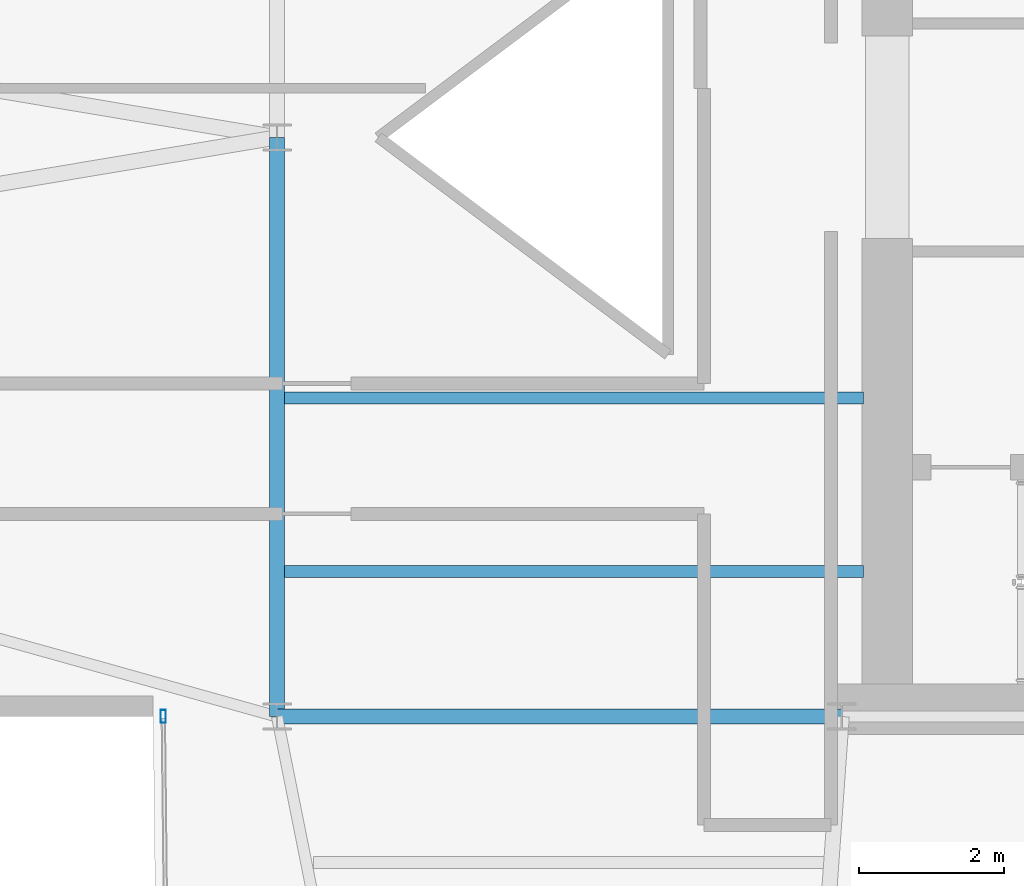
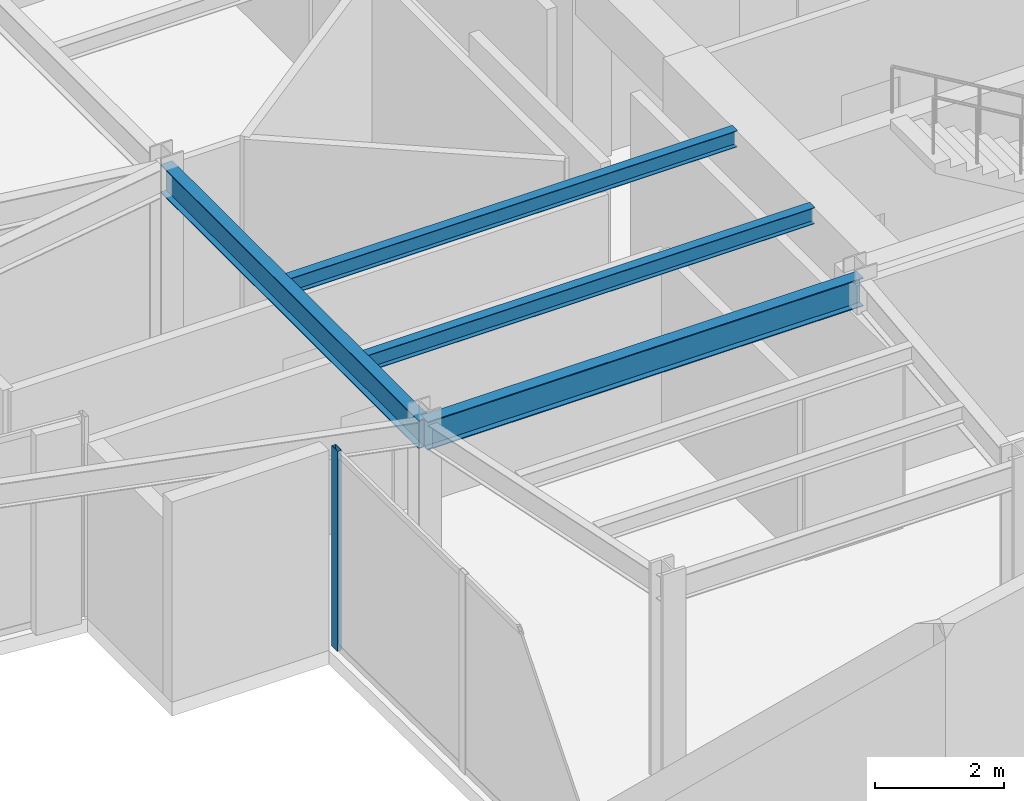
# One storey, part 8 of 22: 4 beams, 1 member, 1 element without a shape of its own.
"""IFC4 building model written with IfcOpenShell, lengths in metres."""

from ifc_helpers import new_model, si_unit, direction, frame, origin, origin_2d, place, context, subcontext, project, spatial, hollow_rectangle, i_section, extrude, material, layer, layer_set, material_profile, profile_set, type_object, element, aggregate, save


model = new_model("IFC4")

# Units and contexts
model_context = context("Model", 3, precision=1e-05, world=origin(), true_north=direction((0.0, 1.0)))
body_context = subcontext(model_context, "Body", "Model", "MODEL_VIEW")
ifc_project = project(units=[si_unit("LENGTHUNIT", "METRE"), si_unit("AREAUNIT", "SQUARE_METRE"), si_unit("VOLUMEUNIT", "CUBIC_METRE"), si_unit("PLANEANGLEUNIT", "RADIAN"), si_unit("MASSUNIT", "GRAM", prefix="KILO")], contexts=[model_context])

# Site, building, storey
site_placement = place(None, origin())
site = spatial("IfcSite", under=ifc_project, at=site_placement, CompositionType="ELEMENT")
building_placement = place(site_placement, origin())
building = spatial("IfcBuilding", under=site, at=building_placement, Name="Veymaron Broadcast Tower", CompositionType="ELEMENT")
storey_placement = place(building_placement, frame((0.0, 0.0, 204.0)))
storey = spatial("IfcBuildingStorey", under=building, at=storey_placement, Name="L47", CompositionType="ELEMENT", Elevation=204.0)

# Beams
ifc_material_1 = material(Name="Structural steel ASTM A992 Gr 50", Category="steel")
ifc_material_profile_1 = material_profile(ifc_material_1, i_section(OverallWidth=0.2099609375, OverallDepth=0.537109375, WebThickness=0.010986328125, FlangeThickness=0.017333984375, at=origin_2d()), Name="W530X101")
ifc_profile_set_1 = profile_set([ifc_material_profile_1], Name="Structural steel ASTM A992 Gr 50")
beam_type_1 = type_object("IfcBeamType", Name="BM-FG3", PredefinedType="BEAM", material=ifc_profile_set_1)
beam_1_placement = place(storey_placement, frame((31.199951171875, 16.0, 3.521484375), z_axis=(0.0, 1.0, 0.0), x_axis=(-1.0, 0.0, 0.0)))
element("IfcBeam", 1, at=beam_1_placement, inside=storey, type_object=beam_type_1, Name="L47 primary structural floor girder", PredefinedType="BEAM", context=body_context, shape_type="SweptSolid", body=[
    extrude(i_section(OverallWidth=0.2099609375, OverallDepth=0.537109375, WebThickness=0.010986328125, FlangeThickness=0.017333984375, at=origin_2d()), origin(), (0.0, 0.0, 1.0), 8.0),
])
beam_2_placement = place(storey_placement, frame((31.199951171875, 16.0, 3.521484375), z_axis=(1.0, 0.0, 0.0), x_axis=(0.0, 1.0, 0.0)))
element("IfcBeam", 2, at=beam_2_placement, inside=storey, type_object=beam_type_1, Name="L47 primary structural floor girder", PredefinedType="BEAM", context=body_context, shape_type="SweptSolid", body=[
    extrude(i_section(OverallWidth=0.2099609375, OverallDepth=0.537109375, WebThickness=0.010986328125, FlangeThickness=0.017333984375, at=origin_2d()), origin(), (0.0, 0.0, 1.0), 7.800048828125),
])
ifc_material_profile_2 = material_profile(ifc_material_1, i_section(OverallWidth=0.1650390625, OverallDepth=0.31005859375, WebThickness=0.005859375, FlangeThickness=0.009765625, at=origin_2d()), Name="W310X39")
ifc_profile_set_2 = profile_set([ifc_material_profile_2], Name="Structural steel ASTM A992 Gr 50")
beam_type_2 = type_object("IfcBeamType", Name="BM-JS3", PredefinedType="JOIST", material=ifc_profile_set_2)
for number, where, z_axis, x_axis, name in (
    (3, (31.300048828125, 18.0, 3.635009765625), (1.0, 0.0, 0.0), (0.0, 1.0, 0.0), "L47 Hub secondary joist 1"),
    (4, (31.300048828125, 20.39990234375, 3.635009765625), (1.0, 0.0, 0.0), (0.0, 1.0, 0.0), "L47 Hub secondary joist 2"),
):
    element("IfcBeam", number, at=place(storey_placement, frame(where, z_axis=z_axis, x_axis=x_axis)), inside=storey, type_object=beam_type_2, Name=name, PredefinedType="JOIST", context=body_context, shape_type="SweptSolid", body=[
        extrude(i_section(OverallWidth=0.1650390625, OverallDepth=0.31005859375, WebThickness=0.005859375, FlangeThickness=0.009765625, at=origin_2d()), origin(), (0.0, 0.0, 1.0), 8.0),
    ])

# Curtain wall, member
ifc_material_2 = material(Name="Anodised aluminium AA 6063-T6 and laminated low-E dark glass", Category="aluminium")
ifc_layer = layer(ifc_material_2, 0.179931640625)
ifc_layer_set = layer_set([ifc_layer], Name="Anodised aluminium AA 6063-T6 and laminated low-E dark glass")
curtain_wall_type = type_object("IfcCurtainWallType", Name="CW-SYS-05", PredefinedType="NOTDEFINED", material=ifc_layer_set)
curtain_wall_placement = place(storey_placement, origin())
curtain_wall = element("IfcCurtainWall", 5, at=curtain_wall_placement, inside=storey, type_object=curtain_wall_type, Name="L47 dark-glass curtain wall CW-L47-E17-1", PredefinedType="NOTDEFINED")
ifc_material_3 = material(Name="Anodised aluminium AA 6063-T6", Category="aluminium")
ifc_material_profile_3 = material_profile(ifc_material_3, hollow_rectangle(XDim=0.074951171875, YDim=0.179931640625, WallThickness=0.0048828125, at=origin_2d()), Name="AL180X75X5")
ifc_profile_set_3 = profile_set([ifc_material_profile_3], Name="Anodised aluminium AA 6063-T6")
member_type = type_object("IfcMemberType", Name="CW-MUL-02", PredefinedType="MULLION", material=ifc_profile_set_3)
member_placement = place(storey_placement, frame((29.62890625, 16.001708984375, 0.0), z_axis=(0.0, 0.0, 1.0), x_axis=(1.0, 0.0, 0.0)))
member = element("IfcMember", 6, at=member_placement, type_object=member_type, Name="CW-L47-E17-1 mullion 0", PredefinedType="MULLION", context=body_context, shape_type="SweptSolid", body=[
    extrude(hollow_rectangle(XDim=0.074951171875, YDim=0.179931640625, WallThickness=0.0048828125, at=origin_2d()), origin(), (0.0, 0.0, 1.0), 3.7900390625),
])
aggregate(curtain_wall, [member])

save(model, "model.ifc")
